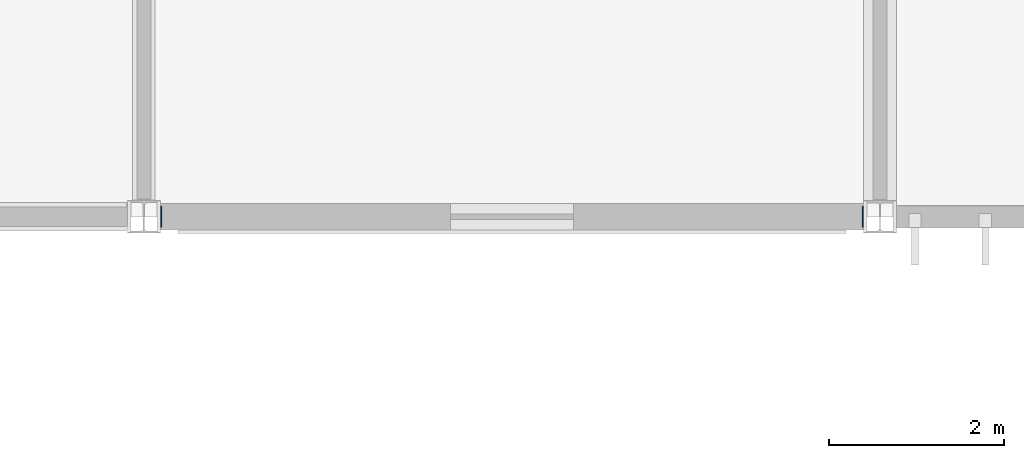
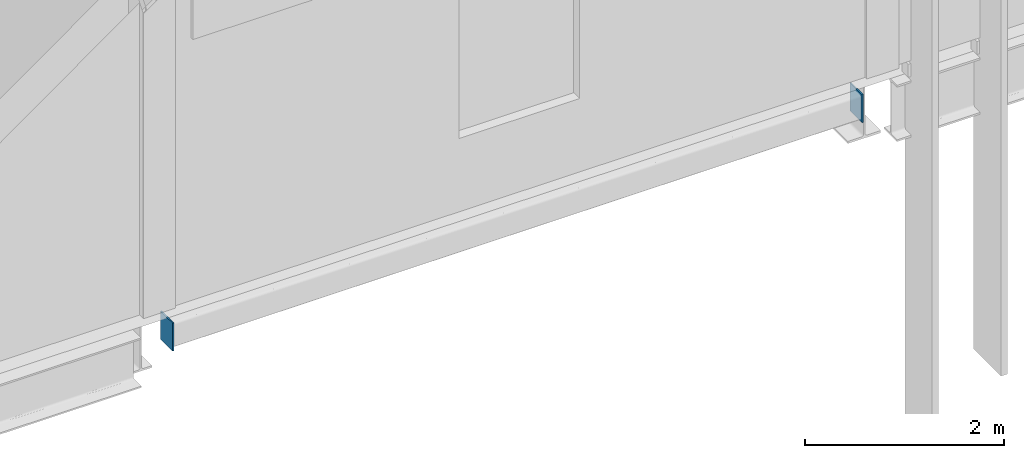
# One storey, part 37 of 72: 2 plates.
"""IFC4 building model written with IfcOpenShell, lengths in metres."""

from ifc_helpers import new_model, si_unit, direction, frame, origin, origin_2d, place, context, subcontext, project, spatial, rectangle, extrude, material, layer, layer_set, type_object, element, save


model = new_model("IFC4")

# Units and contexts
model_context = context("Model", 3, precision=1e-05, world=origin(), true_north=direction((0.0, 1.0)))
body_context = subcontext(model_context, "Body", "Model", "MODEL_VIEW")
ifc_project = project(units=[si_unit("LENGTHUNIT", "METRE"), si_unit("AREAUNIT", "SQUARE_METRE"), si_unit("VOLUMEUNIT", "CUBIC_METRE"), si_unit("PLANEANGLEUNIT", "RADIAN"), si_unit("MASSUNIT", "GRAM", prefix="KILO")], contexts=[model_context])

# Site, building, storey
site_placement = place(None, origin())
site = spatial("IfcSite", under=ifc_project, at=site_placement, CompositionType="ELEMENT")
building_placement = place(site_placement, origin())
building = spatial("IfcBuilding", under=site, at=building_placement, Name="Calvrana Isthmian Art Gallery", CompositionType="ELEMENT")
storey_placement = place(building_placement, frame((0.0, 0.0, 15.0)))
storey = spatial("IfcBuildingStorey", under=building, at=storey_placement, Name="L03", CompositionType="ELEMENT", Elevation=15.0)

# Plates
ifc_material = material(Name="Steel ASTM A572 Gr 50", Category="steel")
ifc_layer = layer(ifc_material, 0.01611328125, Name="Steel ASTM A572 Gr 50")
ifc_layer_set = layer_set([ifc_layer], Name="Steel ASTM A572 Gr 50")
plate_type = type_object("IfcPlateType", Name="PL-CAP-16", PredefinedType="SHEET", material=ifc_layer_set)
for number, where, z_axis, x_axis, name in (
    (1, (63.798095703125, 21.60009765625, -0.56982421875), (0.0, 0.0, 1.0), (1.0, 0.0, 0.0), "Hollow section end cap plate 475"),
    (2, (71.802978515625, 21.60009765625, -0.56982421875), (0.0, 0.0, 1.0), (1.0, 0.0, 0.0), "Hollow section end cap plate 476"),
):
    element("IfcPlate", number, at=place(storey_placement, frame(where, z_axis=z_axis, x_axis=x_axis)), inside=storey, type_object=plate_type, Name=name, PredefinedType="SHEET", context=body_context, shape_type="SweptSolid", body=[
        extrude(rectangle(XDim=0.01611328125, YDim=0.2431640625, at=origin_2d()), origin(), (0.0, 0.0, 1.0), 0.3447265625),
    ])

save(model, "model.ifc")
